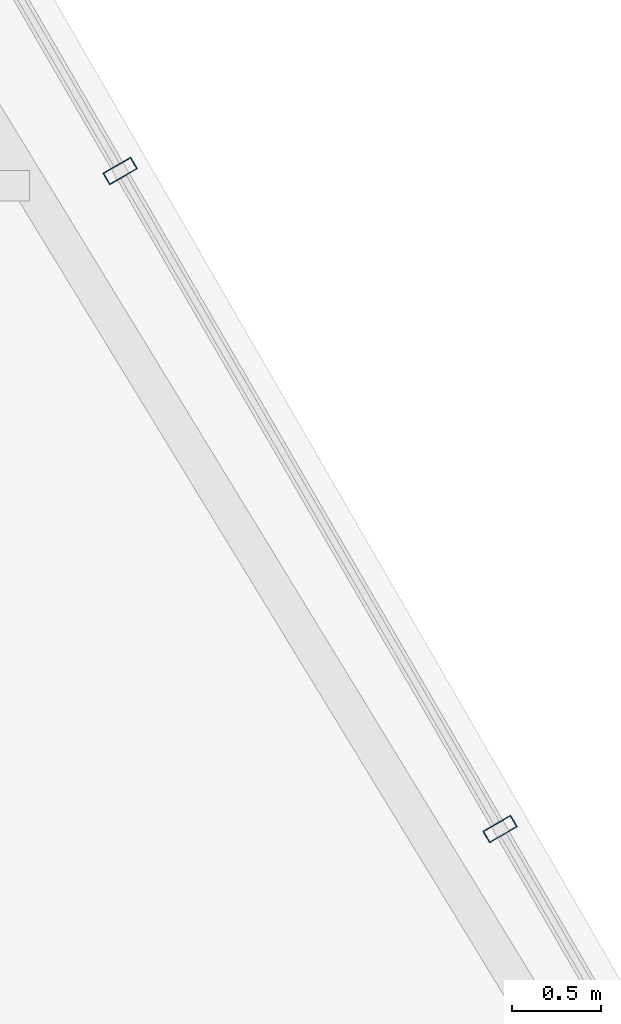
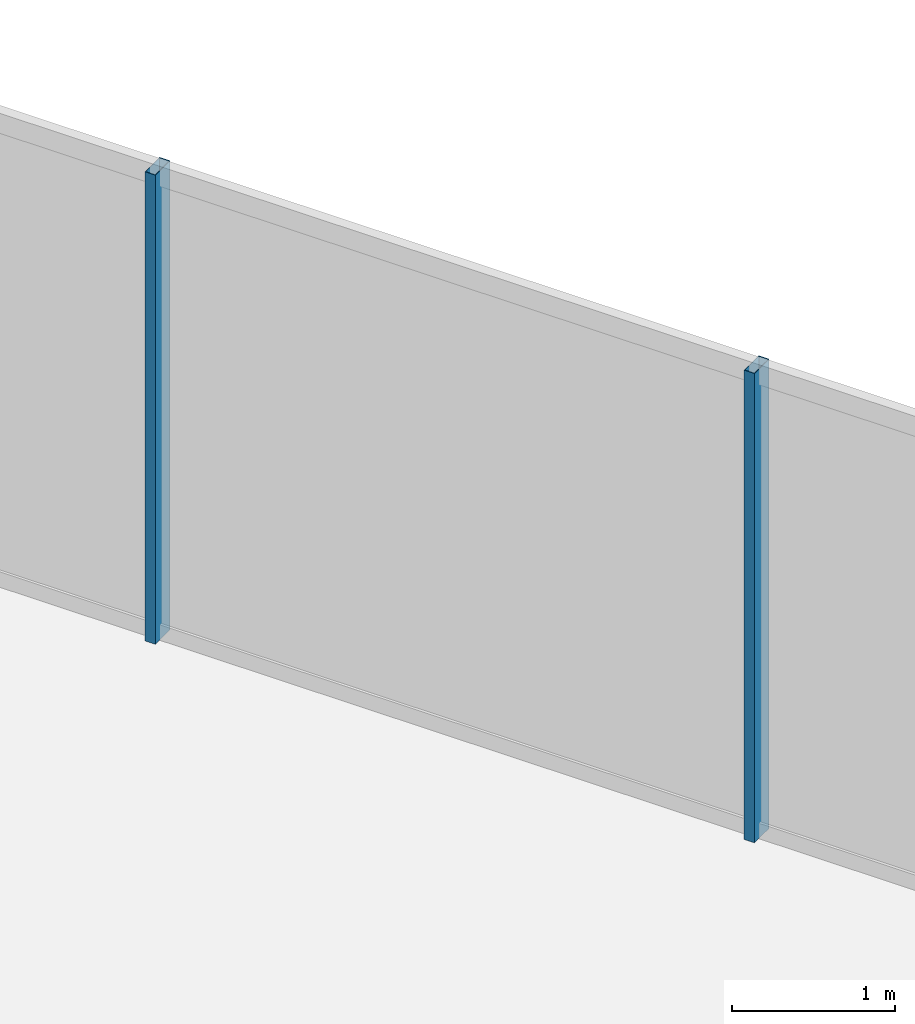
# One storey, part 19 of 34: 2 members, 1 element without a shape of its own.
"""IFC4 building model written with IfcOpenShell, lengths in metres."""

from ifc_helpers import new_model, si_unit, direction, frame, origin, origin_2d, place, context, subcontext, project, spatial, hollow_rectangle, extrude, material, layer, layer_set, material_profile, profile_set, type_object, element, aggregate, save


model = new_model("IFC4")

# Units and contexts
model_context = context("Model", 3, precision=1e-05, world=origin(), true_north=direction((0.0, 1.0)))
body_context = subcontext(model_context, "Body", "Model", "MODEL_VIEW")
ifc_project = project(units=[si_unit("LENGTHUNIT", "METRE"), si_unit("AREAUNIT", "SQUARE_METRE"), si_unit("VOLUMEUNIT", "CUBIC_METRE"), si_unit("PLANEANGLEUNIT", "RADIAN"), si_unit("MASSUNIT", "GRAM", prefix="KILO")], contexts=[model_context])

# Site, building, storey
site_placement = place(None, origin())
site = spatial("IfcSite", under=ifc_project, at=site_placement, CompositionType="ELEMENT")
building_placement = place(site_placement, origin())
building = spatial("IfcBuilding", under=site, at=building_placement, Name="Ndaravel Arena Tower", CompositionType="ELEMENT")
storey_placement = place(building_placement, frame((0.0, 0.0, 199.199951171875)))
storey = spatial("IfcBuildingStorey", under=building, at=storey_placement, Name="L48", CompositionType="ELEMENT", Elevation=199.199951171875)

# Curtain wall, members
ifc_material_1 = material(Name="Aluminium", Category="aluminium")
ifc_layer = layer(ifc_material_1, 0.179931640625)
ifc_layer_set = layer_set([ifc_layer], Name="Aluminium")
curtain_wall_type = type_object("IfcCurtainWallType", Name="CW-SYS-03", PredefinedType="NOTDEFINED", material=ifc_layer_set)
curtain_wall_placement = place(storey_placement, origin())
curtain_wall = element("IfcCurtainWall", 1, at=curtain_wall_placement, inside=storey, type_object=curtain_wall_type, Name="L48 Faceted Crystal Curtain Wall CW-L48-E03", PredefinedType="NOTDEFINED")
ifc_material_2 = material(Name="Aluminium", Category="aluminium")
ifc_material_profile = material_profile(ifc_material_2, hollow_rectangle(XDim=0.074951171875, YDim=0.179931640625, WallThickness=0.00390625, at=origin_2d()), Name="CW MULLION 75x180x4")
ifc_profile_set = profile_set([ifc_material_profile], Name="Aluminium")
member_type = type_object("IfcMemberType", Name="MEM-CW-MUL180", PredefinedType="MULLION", material=ifc_profile_set)
member_1_placement = place(storey_placement, frame((55.024658203125, 31.400634765625, 0.0), z_axis=(0.0, 0.0, 1.0), x_axis=(-0.5, 0.866025403784, 0.0)))
member_1 = element("IfcMember", 2, at=member_1_placement, type_object=member_type, Name="CW-L48-E03 Mullion 05", PredefinedType="MULLION", context=body_context, shape_type="SweptSolid", body=[
    extrude(hollow_rectangle(XDim=0.074951171875, YDim=0.179931640625, WallThickness=0.00390625, at=origin_2d()), origin(), (0.0, 0.0, 1.0), 3.52001953125),
])
member_2_placement = place(storey_placement, frame((52.899169921875, 35.08203125, 0.0), z_axis=(0.0, 0.0, 1.0), x_axis=(-0.5, 0.866025403784, 0.0)))
member_2 = element("IfcMember", 3, at=member_2_placement, type_object=member_type, Name="CW-L48-E03 Mullion 06", PredefinedType="MULLION", context=body_context, shape_type="SweptSolid", body=[
    extrude(hollow_rectangle(XDim=0.074951171875, YDim=0.179931640625, WallThickness=0.00390625, at=origin_2d()), origin(), (0.0, 0.0, 1.0), 3.52001953125),
])
aggregate(curtain_wall, [member_1, member_2])

save(model, "model.ifc")
